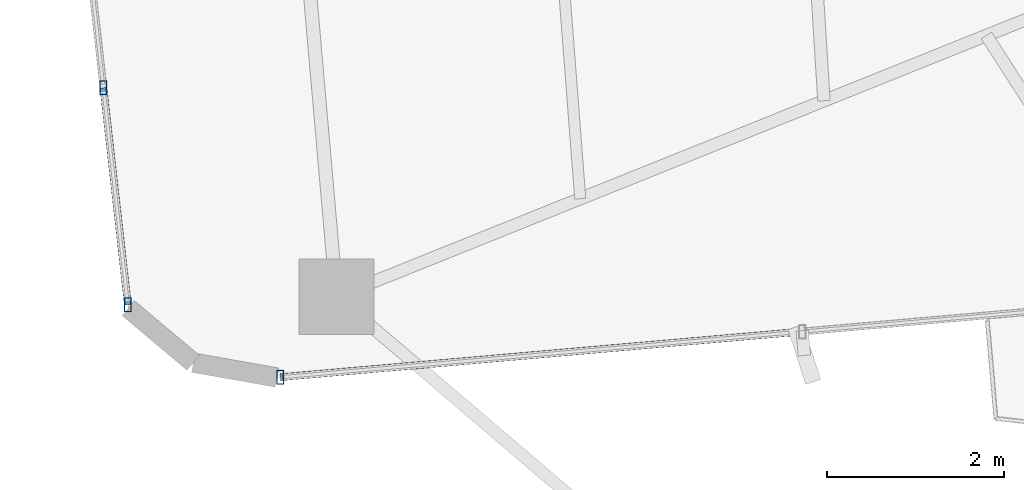
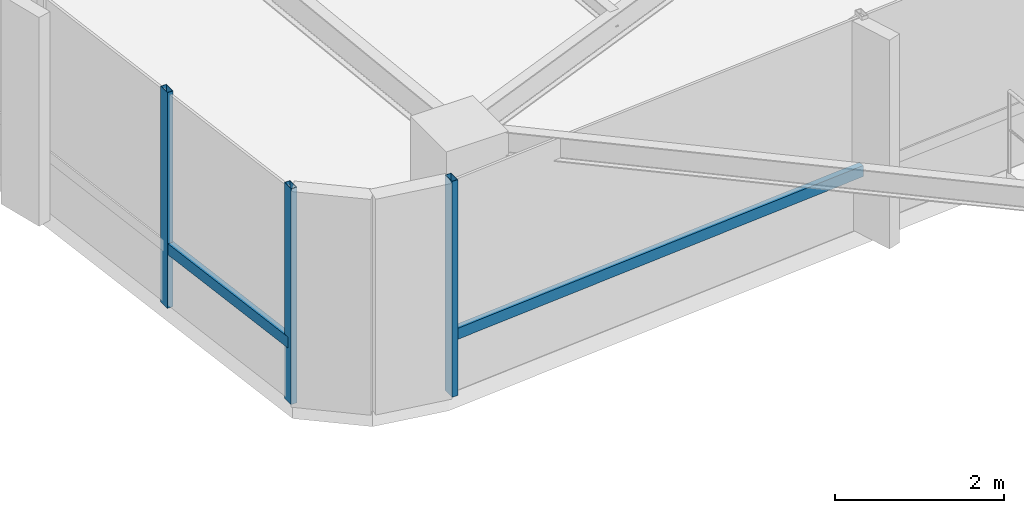
# One storey, part 3 of 24: 5 members, 2 elements without a shape of their own.
"""IFC4 building model written with IfcOpenShell, lengths in metres."""

from ifc_helpers import new_model, si_unit, direction, frame, origin, origin_2d, place, context, subcontext, project, spatial, hollow_rectangle, extrude, source, transform, mapped, material, material_profile, profile_set, type_object, element, aggregate, save


model = new_model("IFC4")

# Units and contexts
model_context = context("Model", 3, precision=1e-05, world=origin(), true_north=direction((0.0, 1.0)))
body_context = subcontext(model_context, "Body", "Model", "MODEL_VIEW")
ifc_project = project(units=[si_unit("LENGTHUNIT", "METRE"), si_unit("AREAUNIT", "SQUARE_METRE"), si_unit("VOLUMEUNIT", "CUBIC_METRE"), si_unit("PLANEANGLEUNIT", "RADIAN"), si_unit("MASSUNIT", "GRAM", prefix="KILO")], contexts=[model_context])

# Site, building, storey
site_placement = place(None, origin())
site = spatial("IfcSite", under=ifc_project, at=site_placement, CompositionType="ELEMENT")
building_placement = place(site_placement, origin())
building = spatial("IfcBuilding", under=site, at=building_placement, Name="Sahyath Konkavel Grand Hotel", CompositionType="ELEMENT")
storey_placement = place(building_placement, frame((0.0, 0.0, 175.199951171875)))
storey = spatial("IfcBuildingStorey", under=building, at=storey_placement, Name="L48", CompositionType="ELEMENT", Elevation=175.199951171875)

# Curtain wall, members
ifc_material_1 = material(Name="Anodised Bronze Aluminium & Low-E Glazing", Category="aluminium")
curtain_wall_type = type_object("IfcCurtainWallType", Name="CW-ZONE3", PredefinedType="NOTDEFINED", material=ifc_material_1)
curtain_wall_1_placement = place(storey_placement, origin())
curtain_wall_1 = element("IfcCurtainWall", 1, at=curtain_wall_1_placement, inside=storey, type_object=curtain_wall_type, Name="L48 Unitised Curtain Wall F20", PredefinedType="NOTDEFINED")
ifc_material_2 = material(Name="Anodised Bronze Aluminium", Category="aluminium")
ifc_material_profile_1 = material_profile(ifc_material_2, hollow_rectangle(XDim=0.080078125, YDim=0.159912109375, WallThickness=0.006103515625, at=origin_2d()), Name="RHS 160x80x6")
ifc_profile_set_1 = profile_set([ifc_material_profile_1], Name="Anodised Bronze Aluminium")
member_type_1 = type_object("IfcMemberType", Name="CW-MUL-160", PredefinedType="MULLION", material=ifc_profile_set_1)
shared_shape_1 = source(origin(), body_context, "Body", "SweptSolid", [
    extrude(hollow_rectangle(XDim=0.080078125, YDim=0.159912109375, WallThickness=0.006103515625, at=origin_2d()), origin(), (0.0, 0.0, 1.0), 3.110107421875),
])
member_1_placement = place(storey_placement, frame((-19.583984375, -4.648193359375, 0.0), z_axis=(0.0, 0.0, 1.0), x_axis=(1.0, 0.0, 0.0)))
member_1 = element("IfcMember", 2, at=member_1_placement, type_object=member_type_1, Name="L48 Curtain Wall Mullion F20-3", PredefinedType="MULLION", context=body_context, shape_type="MappedRepresentation", body=[
    mapped(shared_shape_1, transform((0.0, 0.0, 0.0), scale=1.0)),
])
member_2_placement = place(storey_placement, frame((-19.308349609375, -7.094970703125, 0.0), z_axis=(0.0, 0.0, 1.0), x_axis=(1.0, 0.0, 0.0)))
member_2 = element("IfcMember", 3, at=member_2_placement, type_object=member_type_1, Name="L48 Curtain Wall Mullion F20-4", PredefinedType="MULLION", context=body_context, shape_type="MappedRepresentation", body=[
    mapped(shared_shape_1, transform((0.0, 0.0, 0.0), scale=1.0)),
])

# Curtain wall, member
curtain_wall_2_placement = place(storey_placement, origin())
curtain_wall_2 = element("IfcCurtainWall", 4, at=curtain_wall_2_placement, inside=storey, type_object=curtain_wall_type, Name="L48 Unitised Curtain Wall F23", PredefinedType="NOTDEFINED")
member_3_placement = place(storey_placement, frame((-17.58740234375, -7.912841796875, 0.0), z_axis=(0.0, 0.0, 1.0), x_axis=(1.0, 0.0, 0.0)))
member_3 = element("IfcMember", 5, at=member_3_placement, type_object=member_type_1, Name="L48 Curtain Wall Mullion F23-0", PredefinedType="MULLION", context=body_context, shape_type="MappedRepresentation", body=[
    mapped(shared_shape_1, transform((0.0, 0.0, 0.0), scale=1.0)),
])

# Member
ifc_material_profile_2 = material_profile(ifc_material_2, hollow_rectangle(XDim=0.080078125, YDim=0.159912109375, WallThickness=0.006103515625, at=origin_2d()), Name="RHS 160x80x6")
ifc_profile_set_2 = profile_set([ifc_material_profile_2], Name="Anodised Bronze Aluminium")
member_type_2 = type_object("IfcMemberType", Name="CW-TRN-160", PredefinedType="USERDEFINED", material=ifc_profile_set_2)
shared_shape_2 = source(origin(), body_context, "Body", "SweptSolid", [
    extrude(hollow_rectangle(XDim=0.080078125, YDim=0.159912109375, WallThickness=0.006103515625, at=origin_2d()), origin(), (0.0, 0.0, 1.0), 2.462158203125),
])
member_4_placement = place(storey_placement, frame((-19.583984375, -4.648193359375, 0.85009765625), z_axis=(0.11194409079, -0.993714506555, 0.0), x_axis=(0.993714506555, 0.11194409079, 0.0)))
member_4 = element("IfcMember", 6, at=member_4_placement, type_object=member_type_2, Name="L48 Curtain Wall Transom F20-3-spandrel", ObjectType="TRANSOM", PredefinedType="USERDEFINED", context=body_context, shape_type="MappedRepresentation", body=[
    mapped(shared_shape_2, transform((0.0, 0.0, 0.0), scale=1.0)),
])

aggregate(curtain_wall_1, [member_1, member_2, member_4])

shared_shape_3 = source(origin(), body_context, "Body", "SweptSolid", [
    extrude(hollow_rectangle(XDim=0.080078125, YDim=0.159912109375, WallThickness=0.006103515625, at=origin_2d()), origin(), (0.0, 0.0, 1.0), 5.91015625),
])
member_5_placement = place(storey_placement, frame((-17.58740234375, -7.912841796875, 0.85009765625), z_axis=(0.996197841474, 0.087119806256, 0.0), x_axis=(-0.087119806256, 0.996197841474, 0.0)))
member_5 = element("IfcMember", 7, at=member_5_placement, type_object=member_type_2, Name="L48 Curtain Wall Transom F23-0-spandrel", ObjectType="TRANSOM", PredefinedType="USERDEFINED", context=body_context, shape_type="MappedRepresentation", body=[
    mapped(shared_shape_3, transform((0.0, 0.0, 0.0), scale=1.0)),
])

aggregate(curtain_wall_2, [member_3, member_5])

save(model, "model.ifc")
